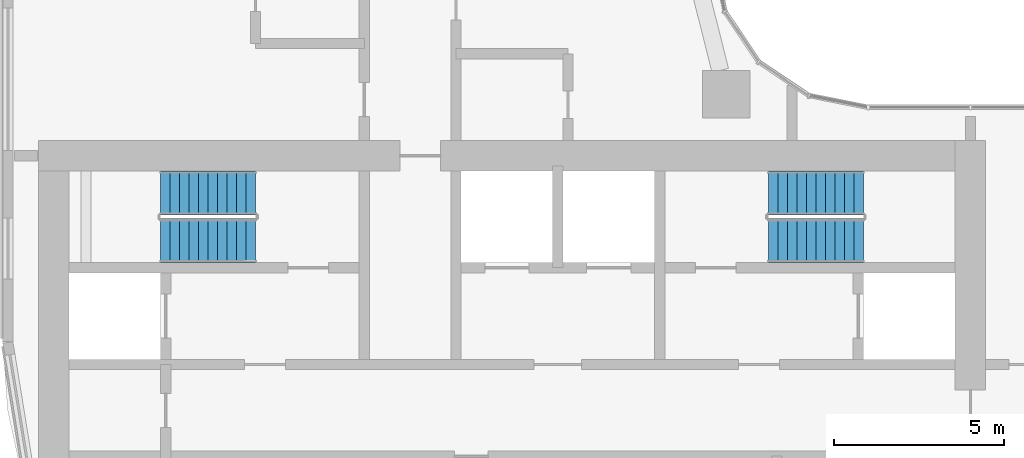
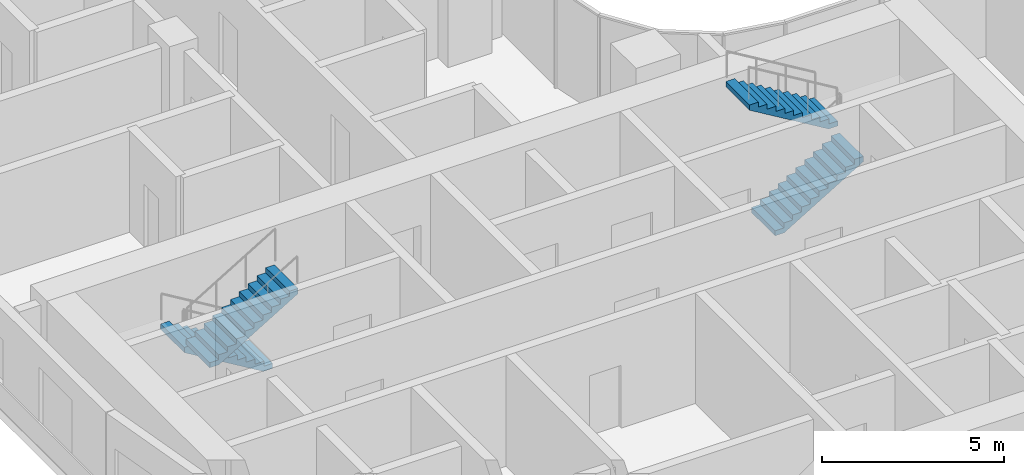
# One storey, part 25 of 33: 4 stair flights, 2 elements without a shape of their own.
"""IFC4 building model written with IfcOpenShell, lengths in metres."""

from ifc_helpers import new_model, si_unit, direction, frame, origin, place, context, subcontext, project, spatial, triangles, source, transform, mapped, material, type_object, element, aggregate, save


model = new_model("IFC4")

# Units and contexts
model_context = context("Model", 3, precision=1e-05, world=origin(), true_north=direction((0.0, 1.0)))
body_context = subcontext(model_context, "Body", "Model", "MODEL_VIEW")
ifc_project = project(units=[si_unit("LENGTHUNIT", "METRE"), si_unit("AREAUNIT", "SQUARE_METRE"), si_unit("VOLUMEUNIT", "CUBIC_METRE"), si_unit("PLANEANGLEUNIT", "RADIAN"), si_unit("MASSUNIT", "GRAM", prefix="KILO")], contexts=[model_context])

# Site, building, storey
site_placement = place(None, origin())
site = spatial("IfcSite", under=ifc_project, at=site_placement, CompositionType="ELEMENT")
building_placement = place(site_placement, origin())
building = spatial("IfcBuilding", under=site, at=building_placement, Name="Ogive Portal Towers", CompositionType="ELEMENT")
storey_placement = place(building_placement, frame((0.0, 0.0, 77.89990234375)))
storey = spatial("IfcBuildingStorey", under=building, at=storey_placement, Name="L18", CompositionType="ELEMENT", Elevation=77.89990234375)

# Stair, stair flights
ifc_material = material(Name="Concrete C40/50", Category="concrete")
stair_type = type_object("IfcStairType", Name="INT-STAIR", PredefinedType="HALF_TURN_STAIR", material=ifc_material)
stair_1_placement = place(storey_placement, origin())
stair_1 = element("IfcStair", 1, at=stair_1_placement, inside=storey, type_object=stair_type, Name="L18 Exit Stair ST-A1", PredefinedType="HALF_TURN_STAIR")
stair_flight_type = type_object("IfcStairFlightType", Name="INT-FLIGHT", PredefinedType="STRAIGHT", material=ifc_material)
shared_shape = source(origin(), body_context, "Body", "Tessellation", [
    triangles([(0.0, -0.650146484375, 0.0), (0.0, -0.376220703125, 0.0), (0.0, -0.192626953125, 0.0), (0.0, -0.081298828125, 0.0), (0.0, -0.024169921875, 0.0), (0.0, -0.003173828125, 0.0), (0.0, 0.0, 0.0), (0.0, 0.0029296875, 0.0), (0.0, 0.02392578125, 0.0), (0.0, 0.0810546875, 0.0), (0.0, 0.1923828125, 0.0), (0.0, 0.3759765625, 0.0), (0.0, 0.64990234375, 0.0), (0.0, -0.650146484375, 0.168212890625), (0.0, -0.376220703125, 0.168212890625), (0.0, -0.192626953125, 0.168212890625), (0.0, -0.081298828125, 0.168212890625), (0.0, -0.024169921875, 0.168212890625), (0.0, -0.003173828125, 0.168212890625), (0.0, 0.0, 0.168212890625), (0.0, 0.0029296875, 0.168212890625), (0.0, 0.02392578125, 0.168212890625), (0.0, 0.0810546875, 0.168212890625), (0.0, 0.1923828125, 0.168212890625), (0.0, 0.3759765625, 0.168212890625), (0.0, 0.64990234375, 0.168212890625), (0.280029296875, -0.650146484375, 0.168212890625), (0.280029296875, -0.376220703125, 0.168212890625), (0.280029296875, -0.192626953125, 0.168212890625), (0.280029296875, -0.081298828125, 0.168212890625), (0.280029296875, -0.024169921875, 0.168212890625), (0.280029296875, -0.003173828125, 0.168212890625), (0.280029296875, 0.0, 0.168212890625), (0.280029296875, 0.0029296875, 0.168212890625), (0.280029296875, 0.02392578125, 0.168212890625), (0.280029296875, 0.0810546875, 0.168212890625), (0.280029296875, 0.1923828125, 0.168212890625), (0.280029296875, 0.3759765625, 0.168212890625), (0.280029296875, 0.64990234375, 0.168212890625), (0.280029296875, -0.650146484375, 0.33642578125), (0.280029296875, -0.376220703125, 0.33642578125), (0.280029296875, -0.192626953125, 0.33642578125), (0.280029296875, -0.081298828125, 0.33642578125), (0.280029296875, -0.024169921875, 0.33642578125), (0.280029296875, -0.003173828125, 0.33642578125), (0.280029296875, 0.0, 0.33642578125), (0.280029296875, 0.0029296875, 0.33642578125), (0.280029296875, 0.02392578125, 0.33642578125), (0.280029296875, 0.0810546875, 0.33642578125), (0.280029296875, 0.1923828125, 0.33642578125), (0.280029296875, 0.3759765625, 0.33642578125), (0.280029296875, 0.64990234375, 0.33642578125), (0.56005859375, -0.650146484375, 0.33642578125), (0.56005859375, -0.376220703125, 0.33642578125), (0.56005859375, -0.192626953125, 0.33642578125), (0.56005859375, -0.081298828125, 0.33642578125), (0.56005859375, -0.024169921875, 0.33642578125), (0.56005859375, -0.003173828125, 0.33642578125), (0.56005859375, 0.0, 0.33642578125), (0.56005859375, 0.0029296875, 0.33642578125), (0.56005859375, 0.02392578125, 0.33642578125), (0.56005859375, 0.0810546875, 0.33642578125), (0.56005859375, 0.1923828125, 0.33642578125), (0.56005859375, 0.3759765625, 0.33642578125), (0.56005859375, 0.64990234375, 0.33642578125), (0.56005859375, -0.650146484375, 0.504638671875), (0.56005859375, -0.376220703125, 0.504638671875), (0.56005859375, -0.192626953125, 0.504638671875), (0.56005859375, -0.081298828125, 0.504638671875), (0.56005859375, -0.024169921875, 0.504638671875), (0.56005859375, -0.003173828125, 0.504638671875), (0.56005859375, 0.0, 0.504638671875), (0.56005859375, 0.0029296875, 0.504638671875), (0.56005859375, 0.02392578125, 0.504638671875), (0.56005859375, 0.0810546875, 0.504638671875), (0.56005859375, 0.1923828125, 0.504638671875), (0.56005859375, 0.3759765625, 0.504638671875), (0.56005859375, 0.64990234375, 0.504638671875), (0.840087890625, -0.650146484375, 0.504638671875), (0.840087890625, -0.376220703125, 0.504638671875), (0.840087890625, -0.192626953125, 0.504638671875), (0.840087890625, -0.081298828125, 0.504638671875), (0.840087890625, -0.024169921875, 0.504638671875), (0.840087890625, -0.003173828125, 0.504638671875), (0.840087890625, 0.0, 0.504638671875), (0.840087890625, 0.0029296875, 0.504638671875), (0.840087890625, 0.02392578125, 0.504638671875), (0.840087890625, 0.0810546875, 0.504638671875), (0.840087890625, 0.1923828125, 0.504638671875), (0.840087890625, 0.3759765625, 0.504638671875), (0.840087890625, 0.64990234375, 0.504638671875), (0.840087890625, -0.650146484375, 0.672607421875), (0.840087890625, -0.376220703125, 0.672607421875), (0.840087890625, -0.192626953125, 0.672607421875), (0.840087890625, -0.081298828125, 0.672607421875), (0.840087890625, -0.024169921875, 0.672607421875), (0.840087890625, -0.003173828125, 0.672607421875), (0.840087890625, 0.0, 0.672607421875), (0.840087890625, 0.0029296875, 0.672607421875), (0.840087890625, 0.02392578125, 0.672607421875), (0.840087890625, 0.0810546875, 0.672607421875), (0.840087890625, 0.1923828125, 0.672607421875), (0.840087890625, 0.3759765625, 0.672607421875), (0.840087890625, 0.64990234375, 0.672607421875), (1.1201171875, -0.650146484375, 0.672607421875), (1.1201171875, -0.376220703125, 0.672607421875), (1.1201171875, -0.192626953125, 0.672607421875), (1.1201171875, -0.081298828125, 0.672607421875), (1.1201171875, -0.024169921875, 0.672607421875), (1.1201171875, -0.003173828125, 0.672607421875), (1.1201171875, 0.0, 0.672607421875), (1.1201171875, 0.0029296875, 0.672607421875), (1.1201171875, 0.02392578125, 0.672607421875), (1.1201171875, 0.0810546875, 0.672607421875), (1.1201171875, 0.1923828125, 0.672607421875), (1.1201171875, 0.3759765625, 0.672607421875), (1.1201171875, 0.64990234375, 0.672607421875), (1.1201171875, -0.650146484375, 0.8408203125), (1.1201171875, -0.376220703125, 0.8408203125), (1.1201171875, -0.192626953125, 0.8408203125), (1.1201171875, -0.081298828125, 0.8408203125), (1.1201171875, -0.024169921875, 0.8408203125), (1.1201171875, -0.003173828125, 0.8408203125), (1.1201171875, 0.0, 0.8408203125), (1.1201171875, 0.0029296875, 0.8408203125), (1.1201171875, 0.02392578125, 0.8408203125), (1.1201171875, 0.0810546875, 0.8408203125), (1.1201171875, 0.1923828125, 0.8408203125), (1.1201171875, 0.3759765625, 0.8408203125), (1.1201171875, 0.64990234375, 0.8408203125), (1.39990234375, -0.650146484375, 0.8408203125), (1.39990234375, -0.376220703125, 0.8408203125), (1.39990234375, -0.192626953125, 0.8408203125), (1.39990234375, -0.081298828125, 0.8408203125), (1.39990234375, -0.024169921875, 0.8408203125), (1.39990234375, -0.003173828125, 0.8408203125), (1.39990234375, 0.0, 0.8408203125), (1.39990234375, 0.0029296875, 0.8408203125), (1.39990234375, 0.02392578125, 0.8408203125), (1.39990234375, 0.0810546875, 0.8408203125), (1.39990234375, 0.1923828125, 0.8408203125), (1.39990234375, 0.3759765625, 0.8408203125), (1.39990234375, 0.64990234375, 0.8408203125), (1.39990234375, -0.650146484375, 1.009033203125), (1.39990234375, -0.376220703125, 1.009033203125), (1.39990234375, -0.192626953125, 1.009033203125), (1.39990234375, -0.081298828125, 1.009033203125), (1.39990234375, -0.024169921875, 1.009033203125), (1.39990234375, -0.003173828125, 1.009033203125), (1.39990234375, 0.0, 1.009033203125), (1.39990234375, 0.0029296875, 1.009033203125), (1.39990234375, 0.02392578125, 1.009033203125), (1.39990234375, 0.0810546875, 1.009033203125), (1.39990234375, 0.1923828125, 1.009033203125), (1.39990234375, 0.3759765625, 1.009033203125), (1.39990234375, 0.64990234375, 1.009033203125), (1.679931640625, -0.650146484375, 1.009033203125), (1.679931640625, -0.376220703125, 1.009033203125), (1.679931640625, -0.192626953125, 1.009033203125), (1.679931640625, -0.081298828125, 1.009033203125), (1.679931640625, -0.024169921875, 1.009033203125), (1.679931640625, -0.003173828125, 1.009033203125), (1.679931640625, 0.0, 1.009033203125), (1.679931640625, 0.0029296875, 1.009033203125), (1.679931640625, 0.02392578125, 1.009033203125), (1.679931640625, 0.0810546875, 1.009033203125), (1.679931640625, 0.1923828125, 1.009033203125), (1.679931640625, 0.3759765625, 1.009033203125), (1.679931640625, 0.64990234375, 1.009033203125), (1.679931640625, -0.650146484375, 1.17724609375), (1.679931640625, -0.376220703125, 1.17724609375), (1.679931640625, -0.192626953125, 1.17724609375), (1.679931640625, -0.081298828125, 1.17724609375), (1.679931640625, -0.024169921875, 1.17724609375), (1.679931640625, -0.003173828125, 1.17724609375), (1.679931640625, 0.0, 1.17724609375), (1.679931640625, 0.0029296875, 1.17724609375), (1.679931640625, 0.02392578125, 1.17724609375), (1.679931640625, 0.0810546875, 1.17724609375), (1.679931640625, 0.1923828125, 1.17724609375), (1.679931640625, 0.3759765625, 1.17724609375), (1.679931640625, 0.64990234375, 1.17724609375), (1.9599609375, -0.650146484375, 1.17724609375), (1.9599609375, -0.376220703125, 1.17724609375), (1.9599609375, -0.192626953125, 1.17724609375), (1.9599609375, -0.081298828125, 1.17724609375), (1.9599609375, -0.024169921875, 1.17724609375), (1.9599609375, -0.003173828125, 1.17724609375), (1.9599609375, 0.0, 1.17724609375), (1.9599609375, 0.0029296875, 1.17724609375), (1.9599609375, 0.02392578125, 1.17724609375), (1.9599609375, 0.0810546875, 1.17724609375), (1.9599609375, 0.1923828125, 1.17724609375), (1.9599609375, 0.3759765625, 1.17724609375), (1.9599609375, 0.64990234375, 1.17724609375), (1.9599609375, -0.650146484375, 1.345458984375), (1.9599609375, -0.376220703125, 1.345458984375), (1.9599609375, -0.192626953125, 1.345458984375), (1.9599609375, -0.081298828125, 1.345458984375), (1.9599609375, -0.024169921875, 1.345458984375), (1.9599609375, -0.003173828125, 1.345458984375), (1.9599609375, 0.0, 1.345458984375), (1.9599609375, 0.0029296875, 1.345458984375), (1.9599609375, 0.02392578125, 1.345458984375), (1.9599609375, 0.0810546875, 1.345458984375), (1.9599609375, 0.1923828125, 1.345458984375), (1.9599609375, 0.3759765625, 1.345458984375), (1.9599609375, 0.64990234375, 1.345458984375), (2.239990234375, -0.650146484375, 1.345458984375), (2.239990234375, -0.376220703125, 1.345458984375), (2.239990234375, -0.192626953125, 1.345458984375), (2.239990234375, -0.081298828125, 1.345458984375), (2.239990234375, -0.024169921875, 1.345458984375), (2.239990234375, -0.003173828125, 1.345458984375), (2.239990234375, 0.0, 1.345458984375), (2.239990234375, 0.0029296875, 1.345458984375), (2.239990234375, 0.02392578125, 1.345458984375), (2.239990234375, 0.0810546875, 1.345458984375), (2.239990234375, 0.1923828125, 1.345458984375), (2.239990234375, 0.3759765625, 1.345458984375), (2.239990234375, 0.64990234375, 1.345458984375), (2.239990234375, -0.650146484375, 1.513671875), (2.239990234375, -0.376220703125, 1.513671875), (2.239990234375, -0.192626953125, 1.513671875), (2.239990234375, -0.081298828125, 1.513671875), (2.239990234375, -0.024169921875, 1.513671875), (2.239990234375, -0.003173828125, 1.513671875), (2.239990234375, 0.0, 1.513671875), (2.239990234375, 0.0029296875, 1.513671875), (2.239990234375, 0.02392578125, 1.513671875), (2.239990234375, 0.0810546875, 1.513671875), (2.239990234375, 0.1923828125, 1.513671875), (2.239990234375, 0.3759765625, 1.513671875), (2.239990234375, 0.64990234375, 1.513671875), (2.52001953125, -0.650146484375, 1.513671875), (2.52001953125, -0.376220703125, 1.513671875), (2.52001953125, -0.192626953125, 1.513671875), (2.52001953125, -0.081298828125, 1.513671875), (2.52001953125, -0.024169921875, 1.513671875), (2.52001953125, -0.003173828125, 1.513671875), (2.52001953125, 0.0, 1.513671875), (2.52001953125, 0.0029296875, 1.513671875), (2.52001953125, 0.02392578125, 1.513671875), (2.52001953125, 0.0810546875, 1.513671875), (2.52001953125, 0.1923828125, 1.513671875), (2.52001953125, 0.3759765625, 1.513671875), (2.52001953125, 0.64990234375, 1.513671875), (2.52001953125, -0.650146484375, 1.681884765625), (2.52001953125, -0.376220703125, 1.681884765625), (2.52001953125, -0.192626953125, 1.681884765625), (2.52001953125, -0.081298828125, 1.681884765625), (2.52001953125, -0.024169921875, 1.681884765625), (2.52001953125, -0.003173828125, 1.681884765625), (2.52001953125, 0.0, 1.681884765625), (2.52001953125, 0.0029296875, 1.681884765625), (2.52001953125, 0.02392578125, 1.681884765625), (2.52001953125, 0.0810546875, 1.681884765625), (2.52001953125, 0.1923828125, 1.681884765625), (2.52001953125, 0.3759765625, 1.681884765625), (2.52001953125, 0.64990234375, 1.681884765625), (2.800048828125, -0.650146484375, 1.681884765625), (2.800048828125, -0.376220703125, 1.681884765625), (2.800048828125, -0.192626953125, 1.681884765625), (2.800048828125, -0.081298828125, 1.681884765625), (2.800048828125, -0.024169921875, 1.681884765625), (2.800048828125, -0.003173828125, 1.681884765625), (2.800048828125, 0.0, 1.681884765625), (2.800048828125, 0.0029296875, 1.681884765625), (2.800048828125, 0.02392578125, 1.681884765625), (2.800048828125, 0.0810546875, 1.681884765625), (2.800048828125, 0.1923828125, 1.681884765625), (2.800048828125, 0.3759765625, 1.681884765625), (2.800048828125, 0.64990234375, 1.681884765625), (2.800048828125, -0.650146484375, 1.5068359375), (2.800048828125, -0.376220703125, 1.5068359375), (2.800048828125, -0.192626953125, 1.5068359375), (2.800048828125, -0.081298828125, 1.5068359375), (2.800048828125, -0.024169921875, 1.5068359375), (2.800048828125, -0.003173828125, 1.5068359375), (2.800048828125, 0.0, 1.5068359375), (2.800048828125, 0.0029296875, 1.5068359375), (2.800048828125, 0.02392578125, 1.5068359375), (2.800048828125, 0.0810546875, 1.5068359375), (2.800048828125, 0.1923828125, 1.5068359375), (2.800048828125, 0.3759765625, 1.5068359375), (2.800048828125, 0.64990234375, 1.5068359375), (0.291015625, -0.650146484375, 0.0), (0.291015625, -0.376220703125, 0.0), (0.291015625, -0.192626953125, 0.0), (0.291015625, -0.081298828125, 0.0), (0.291015625, -0.024169921875, 0.0), (0.291015625, -0.003173828125, 0.0), (0.291015625, 0.0, 0.0), (0.291015625, 0.0029296875, 0.0), (0.291015625, 0.02392578125, 0.0), (0.291015625, 0.0810546875, 0.0), (0.291015625, 0.1923828125, 0.0), (0.291015625, 0.3759765625, 0.0), (0.291015625, 0.64990234375, 0.0)], [[1, 14, 15], [1, 15, 2], [2, 15, 16], [2, 16, 3], [3, 16, 17], [3, 17, 4], [4, 17, 18], [4, 18, 5], [5, 18, 19], [5, 19, 6], [6, 19, 20], [6, 20, 7], [7, 20, 21], [7, 21, 8], [8, 21, 22], [8, 22, 9], [9, 22, 23], [9, 23, 10], [10, 23, 24], [10, 24, 11], [11, 24, 25], [11, 25, 12], [12, 25, 26], [12, 26, 13], [14, 27, 28], [14, 28, 15], [15, 28, 29], [15, 29, 16], [16, 29, 30], [16, 30, 17], [17, 30, 31], [17, 31, 18], [18, 31, 32], [18, 32, 19], [19, 32, 33], [19, 33, 20], [20, 33, 34], [20, 34, 21], [21, 34, 35], [21, 35, 22], [22, 35, 36], [22, 36, 23], [23, 36, 37], [23, 37, 24], [24, 37, 38], [24, 38, 25], [25, 38, 39], [25, 39, 26], [27, 40, 41], [27, 41, 28], [28, 41, 42], [28, 42, 29], [29, 42, 43], [29, 43, 30], [30, 43, 44], [30, 44, 31], [31, 44, 45], [31, 45, 32], [32, 45, 46], [32, 46, 33], [33, 46, 47], [33, 47, 34], [34, 47, 48], [34, 48, 35], [35, 48, 49], [35, 49, 36], [36, 49, 50], [36, 50, 37], [37, 50, 51], [37, 51, 38], [38, 51, 52], [38, 52, 39], [40, 53, 54], [40, 54, 41], [41, 54, 55], [41, 55, 42], [42, 55, 56], [42, 56, 43], [43, 56, 57], [43, 57, 44], [44, 57, 58], [44, 58, 45], [45, 58, 59], [45, 59, 46], [46, 59, 60], [46, 60, 47], [47, 60, 61], [47, 61, 48], [48, 61, 62], [48, 62, 49], [49, 62, 63], [49, 63, 50], [50, 63, 64], [50, 64, 51], [51, 64, 65], [51, 65, 52], [53, 66, 67], [53, 67, 54], [54, 67, 68], [54, 68, 55], [55, 68, 69], [55, 69, 56], [56, 69, 70], [56, 70, 57], [57, 70, 71], [57, 71, 58], [58, 71, 72], [58, 72, 59], [59, 72, 73], [59, 73, 60], [60, 73, 74], [60, 74, 61], [61, 74, 75], [61, 75, 62], [62, 75, 76], [62, 76, 63], [63, 76, 77], [63, 77, 64], [64, 77, 78], [64, 78, 65], [66, 79, 80], [66, 80, 67], [67, 80, 81], [67, 81, 68], [68, 81, 82], [68, 82, 69], [69, 82, 83], [69, 83, 70], [70, 83, 84], [70, 84, 71], [71, 84, 85], [71, 85, 72], [72, 85, 86], [72, 86, 73], [73, 86, 87], [73, 87, 74], [74, 87, 88], [74, 88, 75], [75, 88, 89], [75, 89, 76], [76, 89, 90], [76, 90, 77], [77, 90, 91], [77, 91, 78], [79, 92, 93], [79, 93, 80], [80, 93, 94], [80, 94, 81], [81, 94, 95], [81, 95, 82], [82, 95, 96], [82, 96, 83], [83, 96, 97], [83, 97, 84], [84, 97, 98], [84, 98, 85], [85, 98, 99], [85, 99, 86], [86, 99, 100], [86, 100, 87], [87, 100, 101], [87, 101, 88], [88, 101, 102], [88, 102, 89], [89, 102, 103], [89, 103, 90], [90, 103, 104], [90, 104, 91], [92, 105, 106], [92, 106, 93], [93, 106, 107], [93, 107, 94], [94, 107, 108], [94, 108, 95], [95, 108, 109], [95, 109, 96], [96, 109, 110], [96, 110, 97], [97, 110, 111], [97, 111, 98], [98, 111, 112], [98, 112, 99], [99, 112, 113], [99, 113, 100], [100, 113, 114], [100, 114, 101], [101, 114, 115], [101, 115, 102], [102, 115, 116], [102, 116, 103], [103, 116, 117], [103, 117, 104], [105, 118, 119], [105, 119, 106], [106, 119, 120], [106, 120, 107], [107, 120, 121], [107, 121, 108], [108, 121, 122], [108, 122, 109], [109, 122, 123], [109, 123, 110], [110, 123, 124], [110, 124, 111], [111, 124, 125], [111, 125, 112], [112, 125, 126], [112, 126, 113], [113, 126, 127], [113, 127, 114], [114, 127, 128], [114, 128, 115], [115, 128, 129], [115, 129, 116], [116, 129, 130], [116, 130, 117], [118, 131, 132], [118, 132, 119], [119, 132, 133], [119, 133, 120], [120, 133, 134], [120, 134, 121], [121, 134, 135], [121, 135, 122], [122, 135, 136], [122, 136, 123], [123, 136, 137], [123, 137, 124], [124, 137, 138], [124, 138, 125], [125, 138, 139], [125, 139, 126], [126, 139, 140], [126, 140, 127], [127, 140, 141], [127, 141, 128], [128, 141, 142], [128, 142, 129], [129, 142, 143], [129, 143, 130], [131, 144, 145], [131, 145, 132], [132, 145, 146], [132, 146, 133], [133, 146, 147], [133, 147, 134], [134, 147, 148], [134, 148, 135], [135, 148, 149], [135, 149, 136], [136, 149, 150], [136, 150, 137], [137, 150, 151], [137, 151, 138], [138, 151, 152], [138, 152, 139], [139, 152, 153], [139, 153, 140], [140, 153, 154], [140, 154, 141], [141, 154, 155], [141, 155, 142], [142, 155, 156], [142, 156, 143], [144, 157, 158], [144, 158, 145], [145, 158, 159], [145, 159, 146], [146, 159, 160], [146, 160, 147], [147, 160, 161], [147, 161, 148], [148, 161, 162], [148, 162, 149], [149, 162, 163], [149, 163, 150], [150, 163, 164], [150, 164, 151], [151, 164, 165], [151, 165, 152], [152, 165, 166], [152, 166, 153], [153, 166, 167], [153, 167, 154], [154, 167, 168], [154, 168, 155], [155, 168, 169], [155, 169, 156], [157, 170, 171], [157, 171, 158], [158, 171, 172], [158, 172, 159], [159, 172, 173], [159, 173, 160], [160, 173, 174], [160, 174, 161], [161, 174, 175], [161, 175, 162], [162, 175, 176], [162, 176, 163], [163, 176, 177], [163, 177, 164], [164, 177, 178], [164, 178, 165], [165, 178, 179], [165, 179, 166], [166, 179, 180], [166, 180, 167], [167, 180, 181], [167, 181, 168], [168, 181, 182], [168, 182, 169], [170, 183, 184], [170, 184, 171], [171, 184, 185], [171, 185, 172], [172, 185, 186], [172, 186, 173], [173, 186, 187], [173, 187, 174], [174, 187, 188], [174, 188, 175], [175, 188, 189], [175, 189, 176], [176, 189, 190], [176, 190, 177], [177, 190, 191], [177, 191, 178], [178, 191, 192], [178, 192, 179], [179, 192, 193], [179, 193, 180], [180, 193, 194], [180, 194, 181], [181, 194, 195], [181, 195, 182], [183, 196, 197], [183, 197, 184], [184, 197, 198], [184, 198, 185], [185, 198, 199], [185, 199, 186], [186, 199, 200], [186, 200, 187], [187, 200, 201], [187, 201, 188], [188, 201, 202], [188, 202, 189], [189, 202, 203], [189, 203, 190], [190, 203, 204], [190, 204, 191], [191, 204, 205], [191, 205, 192], [192, 205, 206], [192, 206, 193], [193, 206, 207], [193, 207, 194], [194, 207, 208], [194, 208, 195], [196, 209, 210], [196, 210, 197], [197, 210, 211], [197, 211, 198], [198, 211, 212], [198, 212, 199], [199, 212, 213], [199, 213, 200], [200, 213, 214], [200, 214, 201], [201, 214, 215], [201, 215, 202], [202, 215, 216], [202, 216, 203], [203, 216, 217], [203, 217, 204], [204, 217, 218], [204, 218, 205], [205, 218, 219], [205, 219, 206], [206, 219, 220], [206, 220, 207], [207, 220, 221], [207, 221, 208], [209, 222, 223], [209, 223, 210], [210, 223, 224], [210, 224, 211], [211, 224, 225], [211, 225, 212], [212, 225, 226], [212, 226, 213], [213, 226, 227], [213, 227, 214], [214, 227, 228], [214, 228, 215], [215, 228, 229], [215, 229, 216], [216, 229, 230], [216, 230, 217], [217, 230, 231], [217, 231, 218], [218, 231, 232], [218, 232, 219], [219, 232, 233], [219, 233, 220], [220, 233, 234], [220, 234, 221], [222, 235, 236], [222, 236, 223], [223, 236, 237], [223, 237, 224], [224, 237, 238], [224, 238, 225], [225, 238, 239], [225, 239, 226], [226, 239, 240], [226, 240, 227], [227, 240, 241], [227, 241, 228], [228, 241, 242], [228, 242, 229], [229, 242, 243], [229, 243, 230], [230, 243, 244], [230, 244, 231], [231, 244, 245], [231, 245, 232], [232, 245, 246], [232, 246, 233], [233, 246, 247], [233, 247, 234], [235, 248, 249], [235, 249, 236], [236, 249, 250], [236, 250, 237], [237, 250, 251], [237, 251, 238], [238, 251, 252], [238, 252, 239], [239, 252, 253], [239, 253, 240], [240, 253, 254], [240, 254, 241], [241, 254, 255], [241, 255, 242], [242, 255, 256], [242, 256, 243], [243, 256, 257], [243, 257, 244], [244, 257, 258], [244, 258, 245], [245, 258, 259], [245, 259, 246], [246, 259, 260], [246, 260, 247], [248, 261, 262], [248, 262, 249], [249, 262, 263], [249, 263, 250], [250, 263, 264], [250, 264, 251], [251, 264, 265], [251, 265, 252], [252, 265, 266], [252, 266, 253], [253, 266, 267], [253, 267, 254], [254, 267, 268], [254, 268, 255], [255, 268, 269], [255, 269, 256], [256, 269, 270], [256, 270, 257], [257, 270, 271], [257, 271, 258], [258, 271, 272], [258, 272, 259], [259, 272, 273], [259, 273, 260], [261, 274, 275], [261, 275, 262], [262, 275, 276], [262, 276, 263], [263, 276, 277], [263, 277, 264], [264, 277, 278], [264, 278, 265], [265, 278, 279], [265, 279, 266], [266, 279, 280], [266, 280, 267], [267, 280, 281], [267, 281, 268], [268, 281, 282], [268, 282, 269], [269, 282, 283], [269, 283, 270], [270, 283, 284], [270, 284, 271], [271, 284, 285], [271, 285, 272], [272, 285, 286], [272, 286, 273], [274, 287, 288], [274, 288, 275], [275, 288, 289], [275, 289, 276], [276, 289, 290], [276, 290, 277], [277, 290, 291], [277, 291, 278], [278, 291, 292], [278, 292, 279], [279, 292, 293], [279, 293, 280], [280, 293, 294], [280, 294, 281], [281, 294, 295], [281, 295, 282], [282, 295, 296], [282, 296, 283], [283, 296, 297], [283, 297, 284], [284, 297, 298], [284, 298, 285], [285, 298, 299], [285, 299, 286], [287, 1, 2], [287, 2, 288], [288, 2, 3], [288, 3, 289], [289, 3, 4], [289, 4, 290], [290, 4, 5], [290, 5, 291], [291, 5, 6], [291, 6, 292], [292, 6, 7], [292, 7, 293], [293, 7, 8], [293, 8, 294], [294, 8, 9], [294, 9, 295], [295, 9, 10], [295, 10, 296], [296, 10, 11], [296, 11, 297], [297, 11, 12], [297, 12, 298], [298, 12, 13], [298, 13, 299], [1, 287, 274], [13, 286, 299], [274, 261, 248], [286, 260, 273], [274, 248, 235], [286, 247, 260], [274, 235, 222], [286, 234, 247], [274, 222, 209], [286, 221, 234], [209, 196, 183], [221, 195, 208], [274, 209, 183], [286, 195, 221], [183, 170, 157], [195, 169, 182], [274, 183, 157], [286, 169, 195], [157, 144, 131], [169, 143, 156], [274, 157, 131], [286, 143, 169], [131, 118, 105], [143, 117, 130], [274, 131, 105], [286, 117, 143], [1, 274, 105], [13, 117, 286], [105, 92, 79], [117, 91, 104], [79, 66, 53], [91, 65, 78], [105, 79, 53], [117, 65, 91], [53, 40, 27], [65, 39, 52], [105, 53, 27], [117, 39, 65], [1, 105, 27], [13, 39, 117], [27, 14, 1], [39, 13, 26]], closed=True),
])
stair_flight_1_placement = place(storey_placement, frame((37.449951171875, 38.39990234375, 0.0), z_axis=(0.0, 0.0, 1.0), x_axis=(-1.0, 0.0, 0.0)))
stair_flight_1 = element("IfcStairFlight", 2, at=stair_flight_1_placement, type_object=stair_flight_type, Name="ST-A1 flight 1", NumberOfRisers=11, NumberOfTreads=10, PredefinedType="STRAIGHT", RiserHeight=0.168181818, TreadLength=0.28, context=body_context, shape_type="MappedRepresentation", body=[
    mapped(shared_shape, transform((0.0, 0.0, 0.0), scale=1.0)),
])
stair_flight_2_placement = place(storey_placement, frame((34.64990234375, 37.0, 1.85009765625), z_axis=(0.0, 0.0, 1.0), x_axis=(1.0, 0.0, 0.0)))
stair_flight_2 = element("IfcStairFlight", 3, at=stair_flight_2_placement, type_object=stair_flight_type, Name="ST-A1 flight 2", NumberOfRisers=11, NumberOfTreads=10, PredefinedType="STRAIGHT", RiserHeight=0.168181818, TreadLength=0.28, context=body_context, shape_type="MappedRepresentation", body=[
    mapped(shared_shape, transform((0.0, 0.0, 0.0), scale=1.0)),
])
aggregate(stair_1, [stair_flight_1, stair_flight_2])

stair_2_placement = place(storey_placement, origin())
stair_2 = element("IfcStair", 4, at=stair_2_placement, inside=storey, type_object=stair_type, Name="L18 Exit Stair ST-A2", PredefinedType="HALF_TURN_STAIR")
stair_flight_3_placement = place(storey_placement, frame((52.550048828125, 37.0, 0.0), z_axis=(0.0, 0.0, 1.0), x_axis=(1.0, 0.0, 0.0)))
stair_flight_3 = element("IfcStairFlight", 5, at=stair_flight_3_placement, type_object=stair_flight_type, Name="ST-A2 flight 1", NumberOfRisers=11, NumberOfTreads=10, PredefinedType="STRAIGHT", RiserHeight=0.168181818, TreadLength=0.28, context=body_context, shape_type="MappedRepresentation", body=[
    mapped(shared_shape, transform((0.0, 0.0, 0.0), scale=1.0)),
])
stair_flight_4_placement = place(storey_placement, frame((55.35009765625, 38.39990234375, 1.85009765625), z_axis=(0.0, 0.0, 1.0), x_axis=(-1.0, 0.0, 0.0)))
stair_flight_4 = element("IfcStairFlight", 6, at=stair_flight_4_placement, type_object=stair_flight_type, Name="ST-A2 flight 2", NumberOfRisers=11, NumberOfTreads=10, PredefinedType="STRAIGHT", RiserHeight=0.168181818, TreadLength=0.28, context=body_context, shape_type="MappedRepresentation", body=[
    mapped(shared_shape, transform((0.0, 0.0, 0.0), scale=1.0)),
])
aggregate(stair_2, [stair_flight_3, stair_flight_4])

save(model, "model.ifc")
